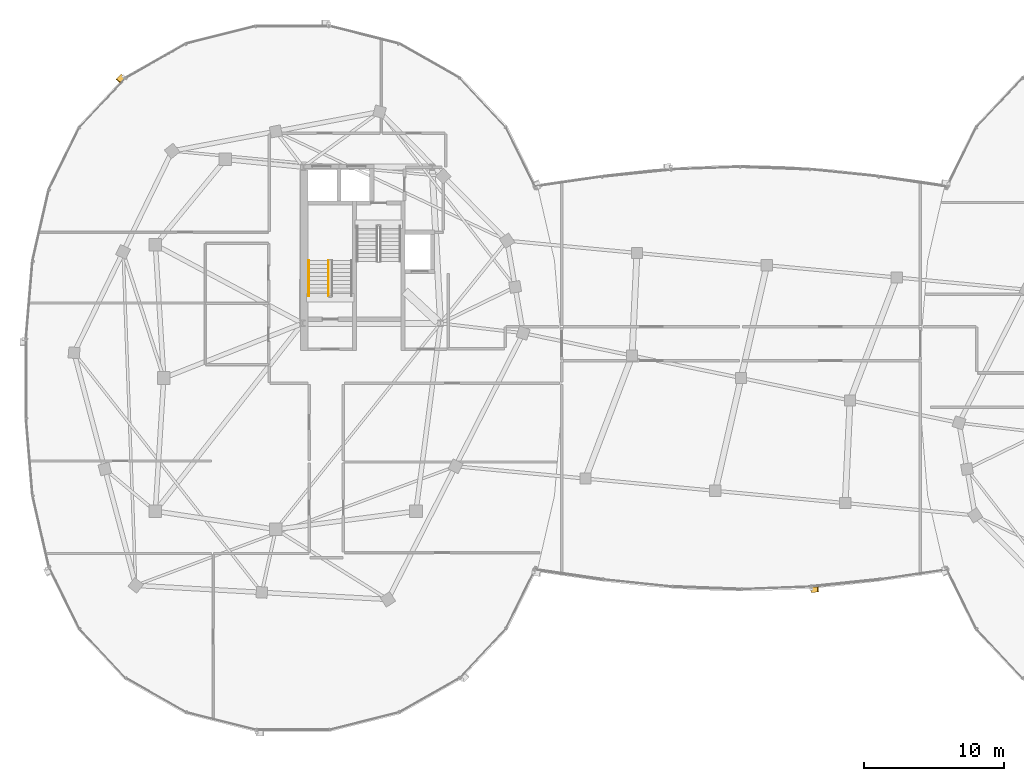
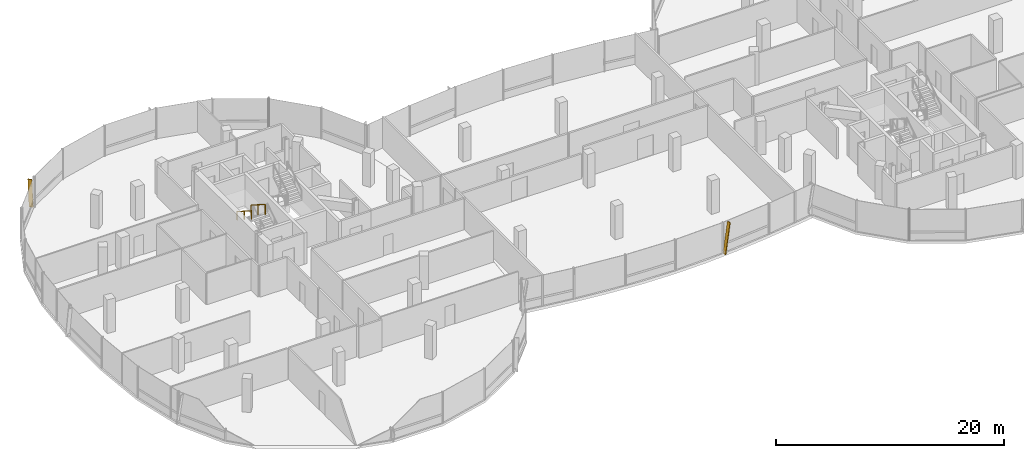
# One storey, part 22 of 25: 2 railings, 2 shading devices.
"""IFC4 building model written with IfcOpenShell, lengths in metres."""

import ifcopenshell
import ifcopenshell.guid

model = None  # the IFC model being written
_history = None  # IfcOwnerHistory: only IFC2X3 demands one
_inside = {}  # id of a spatial element -> (the spatial element, [elements in it])
_under = {}  # id of a project, library or spatial element -> (it, [spatial elements below it])
_declared = {}  # id of a project -> (the project, [libraries it declares])
_typed = {}  # id of a type object -> (the type object, [elements of that type])
_made_of = {}  # id of a material, layer set ... -> (it, [elements and type objects made of it])


def new_model(schema):
    """Start an empty IFC model of exactly this schema.

    Asked for "IFC4X3", IfcOpenShell would pick the latest addendum, in which some entities
    have other attributes; the version numbers below select the first issue.
    IFC2X3 requires an IfcOwnerHistory on every rooted entity: one is made here for all.
    """
    global model, _history
    if schema == "IFC4X3":
        model = ifcopenshell.file(schema_version=(4, 3, 0, 0))
    else:
        model = ifcopenshell.file(schema=schema)
    _inside.clear()
    _under.clear()
    _declared.clear()
    _typed.clear()
    _made_of.clear()
    _history = None
    if model.schema == "IFC2X3":
        org = make("IfcOrganization", Name="unknown")
        user = make(
            "IfcPersonAndOrganization",
            ThePerson=make("IfcPerson", FamilyName="unknown"),
            TheOrganization=org,
        )
        app = make(
            "IfcApplication",
            ApplicationDeveloper=org,
            Version="unknown",
            ApplicationFullName="unknown",
            ApplicationIdentifier="unknown",
        )
        _history = make(
            "IfcOwnerHistory",
            OwningUser=user,
            OwningApplication=app,
            ChangeAction="ADDED",
            CreationDate=0,
        )
    return model


def make(cls, **values):
    """One entity of the class cls with the attributes given. An attribute that is None is left unset."""
    return model.create_entity(
        cls, **{name: value for name, value in values.items() if value is not None}
    )


def rooted(cls, **values):
    """An entity with a GlobalId (a new one), such as an element, a storey or a relation."""
    return make(cls, GlobalId=ifcopenshell.guid.new(), OwnerHistory=_history, **values)


def si_unit(unit_type, name, prefix=None):
    """IfcSIUnit, for example si_unit("LENGTHUNIT", "METRE", prefix="MILLI")."""
    return make("IfcSIUnit", UnitType=unit_type, Prefix=prefix, Name=name)


def assignment(units):
    """IfcUnitAssignment: the units of a project."""
    return None if units is None else make("IfcUnitAssignment", Units=units)


def point(xyz):
    """IfcCartesianPoint."""
    return None if xyz is None else make("IfcCartesianPoint", Coordinates=xyz)


def direction(xyz):
    """IfcDirection."""
    return None if xyz is None else make("IfcDirection", DirectionRatios=xyz)


def frame(location, z_axis=None, x_axis=None):
    """IfcAxis2Placement3D, a coordinate frame: its origin and axes. An axis left out is left unset."""
    return make(
        "IfcAxis2Placement3D",
        Location=point(location),
        Axis=direction(z_axis),
        RefDirection=direction(x_axis),
    )


def frame_2d(location, x_axis=None):
    """IfcAxis2Placement2D, a coordinate frame in the plane: its origin and x axis."""
    return make(
        "IfcAxis2Placement2D", Location=point(location), RefDirection=direction(x_axis)
    )


def origin():
    """The frame at (0, 0, 0) with its axes left unset."""
    return frame((0.0, 0.0, 0.0))


def origin_2d():
    """The frame at (0, 0) in the plane with its x axis left unset."""
    return frame_2d((0.0, 0.0))


def place(relative_to, where):
    """IfcLocalPlacement: puts the frame where relative to a parent placement (None: the world)."""
    return make(
        "IfcLocalPlacement", PlacementRelTo=relative_to, RelativePlacement=where
    )


def context(
    kind, dimensions, precision=None, world=None, true_north=None, identifier=None
):
    """IfcGeometricRepresentationContext, for example the 3D "Model" context."""
    return make(
        "IfcGeometricRepresentationContext",
        ContextIdentifier=identifier,
        ContextType=kind,
        CoordinateSpaceDimension=dimensions,
        Precision=precision,
        WorldCoordinateSystem=world,
        TrueNorth=true_north,
    )


def subcontext(parent, identifier, kind, view, scale=None):
    """IfcGeometricRepresentationSubContext, for example "Body" below "Model"."""
    return make(
        "IfcGeometricRepresentationSubContext",
        ContextIdentifier=identifier,
        ContextType=kind,
        ParentContext=parent,
        TargetScale=scale,
        TargetView=view,
    )


def project(units=None, contexts=None):
    """IfcProject with its units and contexts."""
    return rooted(
        "IfcProject",
        Name="project",
        RepresentationContexts=contexts,
        UnitsInContext=assignment(units),
    )


def spatial(cls, under=None, at=None, **own):
    """A site, building, storey or space (cls), placed at a placement, below another one or the project."""
    s = rooted(cls, ObjectPlacement=at, **own)
    if under is not None:
        _under.setdefault(under.id(), (under, []))[1].append(s)
    return s


def profile(cls, at=None, kind="AREA", **sizes):
    """A parametric profile (cls). Its sizes go by their IFC names, for example OverallWidth=200.0."""
    return make(cls, ProfileType=kind, Position=at, **sizes)


def rectangle(**sizes):
    """IfcRectangleProfileDef."""
    return profile("IfcRectangleProfileDef", **sizes)


def extrude(swept, where, along, depth):
    """IfcExtrudedAreaSolid: the profile swept, set in the frame where, extruded along a direction by depth."""
    return make(
        "IfcExtrudedAreaSolid",
        SweptArea=swept,
        Position=where,
        ExtrudedDirection=direction(along),
        Depth=depth,
    )


def shape(context_of_items, identifier, shape_type, items):
    """IfcShapeRepresentation: the items that make up one representation, for example the "Body"."""
    return make(
        "IfcShapeRepresentation",
        ContextOfItems=context_of_items,
        RepresentationIdentifier=identifier,
        RepresentationType=shape_type,
        Items=items,
    )


def material(Name=None, Category=None):
    """IfcMaterial."""
    return make("IfcMaterial", Name=Name, Category=Category)


def material_profile(
    of_material, cross_section, Name=None, Category=None, Priority=None
):
    """IfcMaterialProfile: a cross section and its material."""
    return make(
        "IfcMaterialProfile",
        Name=Name,
        Material=of_material,
        Profile=cross_section,
        Priority=Priority,
        Category=Category,
    )


def profile_set(profiles, Name=None, composite=None):
    """IfcMaterialProfileSet."""
    return make(
        "IfcMaterialProfileSet",
        Name=Name,
        MaterialProfiles=profiles,
        CompositeProfile=composite,
    )


def made_of(thing, what):
    """Note that an element or type object is made of a material, layer set ...; save() writes the relation."""
    if what is not None:
        _made_of.setdefault(what.id(), (what, []))[1].append(thing)
    return thing


def type_object(cls, material=None, **own):
    """A type object (cls), such as IfcWallType, which elements share."""
    return made_of(rooted(cls, **own), material)


def element(
    cls,
    number,
    at=None,
    inside=None,
    cuts=None,
    type_object=None,
    material=None,
    context=None,
    identifier="Body",
    shape_type=None,
    held_by="IfcProductDefinitionShape",
    body=None,
    shapes=None,
    **own,
):
    """One element of the class cls, such as IfcWall. Its Tag is "e" and its number.

    at: its placement. inside: the storey or other place that contains it. cuts: it is an
    opening in that element (IfcRelVoidsElement). A single representation is given by context,
    identifier, shape_type and body (its items); several are given by shapes. held_by: the class
    of the entity that holds the representations. save() writes the other relations.
    """
    e = rooted(cls, Tag="e%d" % number, ObjectPlacement=at, **own)
    if body is not None:
        shapes = [shape(context, identifier, shape_type, body)]
    if shapes is not None:
        e.Representation = make(held_by, Representations=shapes)
    if inside is not None:
        _inside.setdefault(inside.id(), (inside, []))[1].append(e)
    if cuts is not None:
        rooted(
            "IfcRelVoidsElement", RelatingBuildingElement=cuts, RelatedOpeningElement=e
        )
    if type_object is not None:
        _typed.setdefault(type_object.id(), (type_object, []))[1].append(e)
    return made_of(e, material)


def aggregate(whole, parts):
    """IfcRelAggregates: a whole, such as a stair, and the parts it consists of."""
    return rooted("IfcRelAggregates", RelatingObject=whole, RelatedObjects=parts)


def save(model, path):
    """Write the relations noted so far, then the file.

    IfcRelAggregates (storeys below a building ...), IfcRelContainedInSpatialStructure (elements
    in a storey), IfcRelDefinesByType, IfcRelAssociatesMaterial and IfcRelDeclares: one each for
    every whole, place, type object, material and project.
    """
    for whole, parts in _under.values():
        aggregate(whole, parts)
    for where, things in _inside.values():
        rooted(
            "IfcRelContainedInSpatialStructure",
            RelatedElements=things,
            RelatingStructure=where,
        )
    for kind, things in _typed.values():
        rooted("IfcRelDefinesByType", RelatedObjects=things, RelatingType=kind)
    for what, things in _made_of.values():
        rooted("IfcRelAssociatesMaterial", RelatedObjects=things, RelatingMaterial=what)
    for by, libraries in _declared.values():
        rooted("IfcRelDeclares", RelatingContext=by, RelatedDefinitions=libraries)
    model.write(path)


model = new_model("IFC4")

# Units and contexts
model_context = context("Model", 3, precision=1e-05, world=origin(), true_north=direction((0.0, 1.0)))
body_context = subcontext(model_context, "Body", "Model", "MODEL_VIEW")
ifc_project = project(units=[si_unit("LENGTHUNIT", "METRE"), si_unit("AREAUNIT", "SQUARE_METRE"), si_unit("VOLUMEUNIT", "CUBIC_METRE"), si_unit("PLANEANGLEUNIT", "RADIAN"), si_unit("MASSUNIT", "GRAM", prefix="KILO"), si_unit("THERMODYNAMICTEMPERATUREUNIT", "KELVIN"), si_unit("POWERUNIT", "WATT")], contexts=[model_context])

# Site, building, storey
site_placement = place(None, origin())
site = spatial("IfcSite", under=ifc_project, at=site_placement, CompositionType="ELEMENT")
building_placement = place(site_placement, origin())
building = spatial("IfcBuilding", under=site, at=building_placement, Name="Cundina Bronze Exchange", CompositionType="ELEMENT")
storey_placement = place(building_placement, frame((0.0, 0.0, 250.39990234375)))
storey = spatial("IfcBuildingStorey", under=building, at=storey_placement, Name="L66", CompositionType="ELEMENT", Elevation=250.39990234375)

# Railings
ifc_material_1 = material(Name="Steel ASTM A36 Painted", Category="steel")
railing_type_1 = type_object("IfcRailingType", Name="RLG-HND-900", PredefinedType="HANDRAIL", material=ifc_material_1)
railing_1_placement = place(storey_placement, frame((-30.85009765625, 8.3701171875, 1.97998046875)))
element("IfcRailing", 1, at=railing_1_placement, inside=storey, type_object=railing_type_1, Name="L66 ST-W1 stair handrail 2", PredefinedType="HANDRAIL", context=body_context, shape_type="SweptSolid", body=[
    extrude(rectangle(XDim=0.048095703125, YDim=0.048095703125, at=origin_2d()), frame((0.0, 0.0, 0.8759765625), z_axis=(0.0, -0.841162588446, 0.540782303519), x_axis=(1.0, 0.0, 0.0)), (0.0, 0.0, 1.0), 2.995849609375),
    extrude(rectangle(XDim=0.0419921875, YDim=0.0419921875, at=origin_2d()), origin(), (0.0, 0.0, 1.0), 0.851806640625),
    extrude(rectangle(XDim=0.0419921875, YDim=0.0419921875, at=origin_2d()), frame((0.0, -1.260009765625, 0.81005859375)), (0.0, 0.0, 1.0), 0.851806640625),
    extrude(rectangle(XDim=0.0419921875, YDim=0.0419921875, at=origin_2d()), frame((0.0, -2.52001953125, 1.6201171875)), (0.0, 0.0, 1.0), 0.851806640625),
])
railing_type_2 = type_object("IfcRailingType", Name="RLG-STG-1100", PredefinedType="GUARDRAIL", material=ifc_material_1)
railing_2_placement = place(storey_placement, frame((-29.449951171875, 8.3701171875, 1.97998046875)))
element("IfcRailing", 2, at=railing_2_placement, inside=storey, type_object=railing_type_2, Name="L66 ST-W1 stair guard 3", PredefinedType="GUARDRAIL", context=body_context, shape_type="SweptSolid", body=[
    extrude(rectangle(XDim=0.048095703125, YDim=0.048095703125, at=origin_2d()), frame((0.0, 0.0, 1.076171875), z_axis=(0.0, -0.841162588446, 0.540782303519), x_axis=(1.0, 0.0, 0.0)), (0.0, 0.0, 1.0), 2.995849609375),
    extrude(rectangle(XDim=0.0419921875, YDim=0.0419921875, at=origin_2d()), origin(), (0.0, 0.0, 1.0), 1.052001953125),
    extrude(rectangle(XDim=0.0419921875, YDim=0.0419921875, at=origin_2d()), frame((0.0, -1.260009765625, 0.81005859375)), (0.0, 0.0, 1.0), 1.052001953125),
    extrude(rectangle(XDim=0.0419921875, YDim=0.0419921875, at=origin_2d()), frame((0.0, -2.52001953125, 1.6201171875)), (0.0, 0.0, 1.0), 1.052001953125),
])

# Shading devices
ifc_material_2 = material(Name="Anodised Bronze Aluminium 6063-T6", Category="aluminium")
ifc_material_profile = material_profile(ifc_material_2, rectangle(XDim=0.070068359375, YDim=0.3798828125, at=origin_2d()), Name="FIN70X380", Category="aluminium")
ifc_profile_set = profile_set([ifc_material_profile], Name="Anodised Bronze Aluminium 6063-T6")
shading_device_type = type_object("IfcShadingDeviceType", Name="SHD-FIN-BRZ380", PredefinedType="USERDEFINED", material=ifc_profile_set)
shading_device_1_placement = place(storey_placement, frame((-44.122314453125, 21.55078125, 0.02001953125), z_axis=(-0.098541444371, -0.10491076507, 0.989587446926), x_axis=(0.677505727677, 0.721296959704, 0.143932918008)))
element("IfcShadingDevice", 3, at=shading_device_1_placement, inside=storey, type_object=shading_device_type, Name="L66 Diagonal Bronze Solar Fin 1", ObjectType="FIN", PredefinedType="USERDEFINED", context=body_context, shape_type="SweptSolid", body=[
    extrude(rectangle(XDim=0.070068359375, YDim=0.3798828125, at=origin_2d()), origin(), (0.0, 0.0, 1.0), 3.334716796875),
])
shading_device_2_placement = place(storey_placement, frame((5.0146484375, -15.12890625, 0.02001953125), z_axis=(0.145724273631, 0.015056932621, 0.989210657471), x_axis=(-0.983972150742, -0.101668733734, 0.14650008582)))
element("IfcShadingDevice", 4, at=shading_device_2_placement, inside=storey, type_object=shading_device_type, Name="L66 Diagonal Bronze Solar Fin 5", ObjectType="FIN", PredefinedType="USERDEFINED", context=body_context, shape_type="SweptSolid", body=[
    extrude(rectangle(XDim=0.070068359375, YDim=0.3798828125, at=origin_2d()), origin(), (0.0, 0.0, 1.0), 3.275390625),
])

save(model, "model.ifc")
